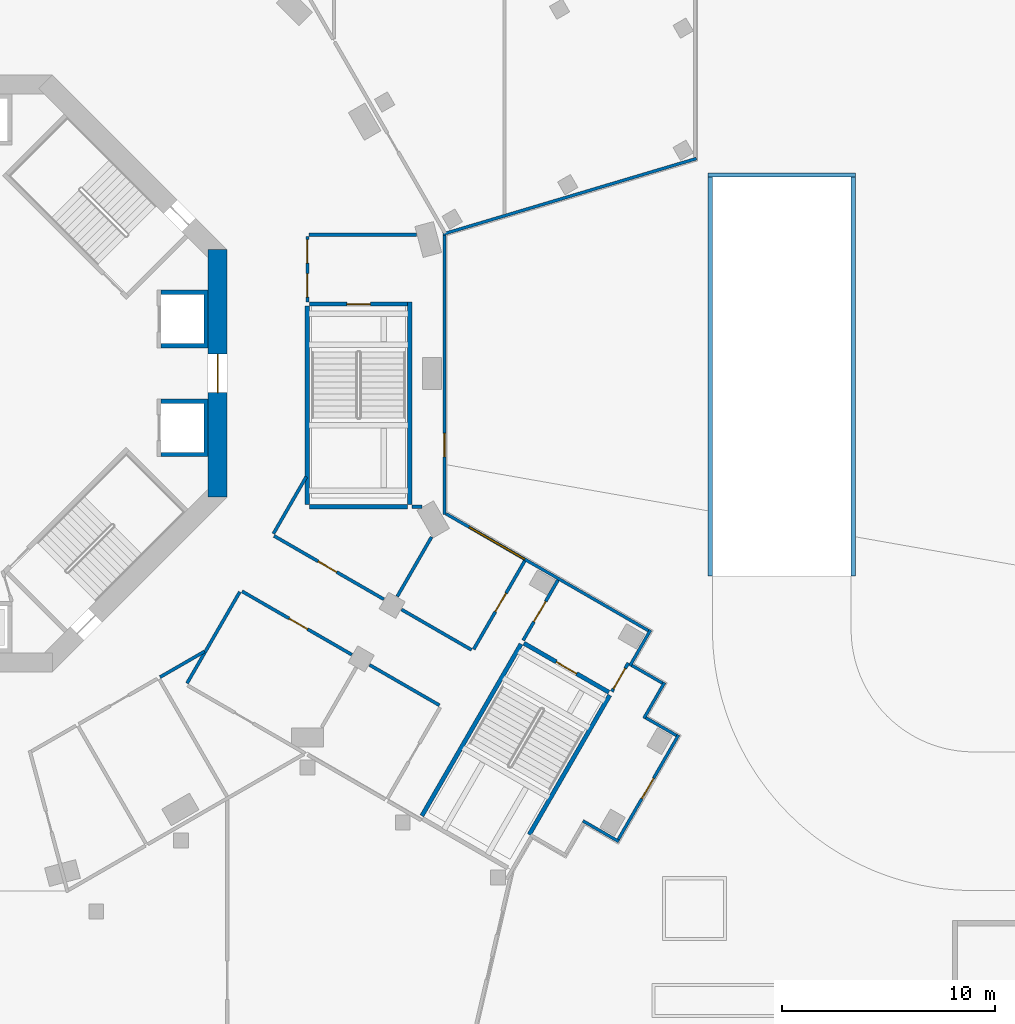
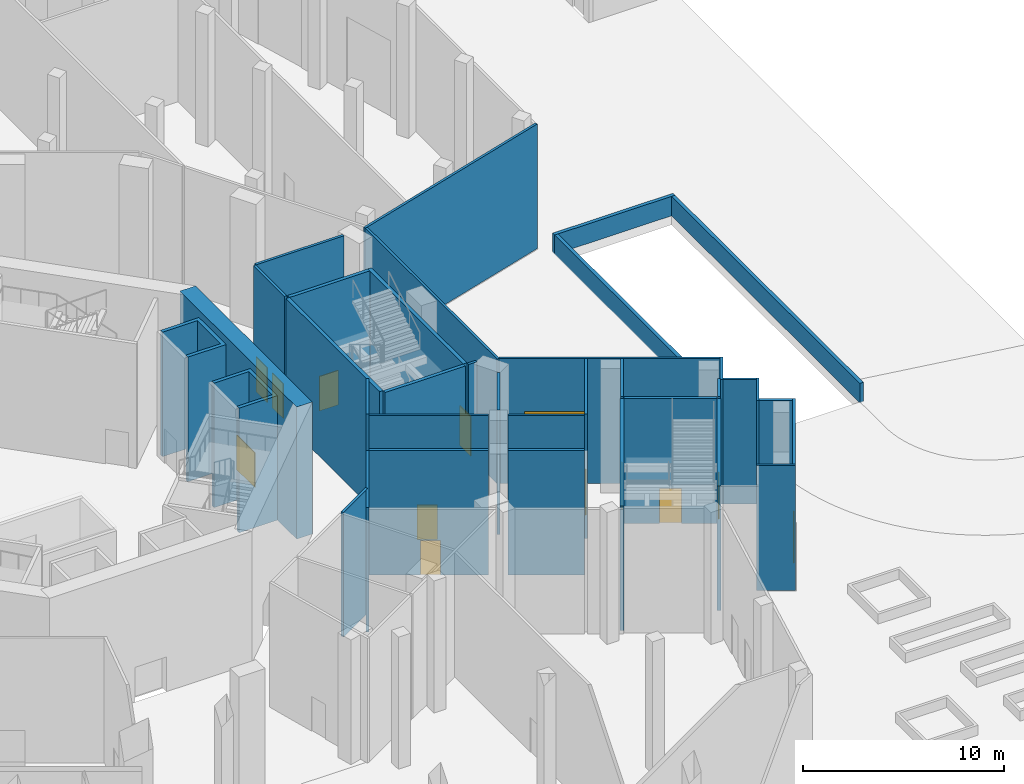
# One storey, part 9 of 30: 36 walls, 12 doors, 1 window, 13 openings.
"""IFC4 building model written with IfcOpenShell, lengths in metres."""

import ifcopenshell
import ifcopenshell.guid

model = None  # the IFC model being written
_history = None  # IfcOwnerHistory: only IFC2X3 demands one
_inside = {}  # id of a spatial element -> (the spatial element, [elements in it])
_under = {}  # id of a project, library or spatial element -> (it, [spatial elements below it])
_declared = {}  # id of a project -> (the project, [libraries it declares])
_typed = {}  # id of a type object -> (the type object, [elements of that type])
_made_of = {}  # id of a material, layer set ... -> (it, [elements and type objects made of it])


def new_model(schema):
    """Start an empty IFC model of exactly this schema.

    Asked for "IFC4X3", IfcOpenShell would pick the latest addendum, in which some entities
    have other attributes; the version numbers below select the first issue.
    IFC2X3 requires an IfcOwnerHistory on every rooted entity: one is made here for all.
    """
    global model, _history
    if schema == "IFC4X3":
        model = ifcopenshell.file(schema_version=(4, 3, 0, 0))
    else:
        model = ifcopenshell.file(schema=schema)
    _inside.clear()
    _under.clear()
    _declared.clear()
    _typed.clear()
    _made_of.clear()
    _history = None
    if model.schema == "IFC2X3":
        org = make("IfcOrganization", Name="unknown")
        user = make(
            "IfcPersonAndOrganization",
            ThePerson=make("IfcPerson", FamilyName="unknown"),
            TheOrganization=org,
        )
        app = make(
            "IfcApplication",
            ApplicationDeveloper=org,
            Version="unknown",
            ApplicationFullName="unknown",
            ApplicationIdentifier="unknown",
        )
        _history = make(
            "IfcOwnerHistory",
            OwningUser=user,
            OwningApplication=app,
            ChangeAction="ADDED",
            CreationDate=0,
        )
    return model


def make(cls, **values):
    """One entity of the class cls with the attributes given. An attribute that is None is left unset."""
    return model.create_entity(
        cls, **{name: value for name, value in values.items() if value is not None}
    )


def rooted(cls, **values):
    """An entity with a GlobalId (a new one), such as an element, a storey or a relation."""
    return make(cls, GlobalId=ifcopenshell.guid.new(), OwnerHistory=_history, **values)


def si_unit(unit_type, name, prefix=None):
    """IfcSIUnit, for example si_unit("LENGTHUNIT", "METRE", prefix="MILLI")."""
    return make("IfcSIUnit", UnitType=unit_type, Prefix=prefix, Name=name)


def assignment(units):
    """IfcUnitAssignment: the units of a project."""
    return None if units is None else make("IfcUnitAssignment", Units=units)


def point(xyz):
    """IfcCartesianPoint."""
    return None if xyz is None else make("IfcCartesianPoint", Coordinates=xyz)


def direction(xyz):
    """IfcDirection."""
    return None if xyz is None else make("IfcDirection", DirectionRatios=xyz)


def frame(location, z_axis=None, x_axis=None):
    """IfcAxis2Placement3D, a coordinate frame: its origin and axes. An axis left out is left unset."""
    return make(
        "IfcAxis2Placement3D",
        Location=point(location),
        Axis=direction(z_axis),
        RefDirection=direction(x_axis),
    )


def frame_2d(location, x_axis=None):
    """IfcAxis2Placement2D, a coordinate frame in the plane: its origin and x axis."""
    return make(
        "IfcAxis2Placement2D", Location=point(location), RefDirection=direction(x_axis)
    )


def origin():
    """The frame at (0, 0, 0) with its axes left unset."""
    return frame((0.0, 0.0, 0.0))


def place(relative_to, where):
    """IfcLocalPlacement: puts the frame where relative to a parent placement (None: the world)."""
    return make(
        "IfcLocalPlacement", PlacementRelTo=relative_to, RelativePlacement=where
    )


def context(
    kind, dimensions, precision=None, world=None, true_north=None, identifier=None
):
    """IfcGeometricRepresentationContext, for example the 3D "Model" context."""
    return make(
        "IfcGeometricRepresentationContext",
        ContextIdentifier=identifier,
        ContextType=kind,
        CoordinateSpaceDimension=dimensions,
        Precision=precision,
        WorldCoordinateSystem=world,
        TrueNorth=true_north,
    )


def subcontext(parent, identifier, kind, view, scale=None):
    """IfcGeometricRepresentationSubContext, for example "Body" below "Model"."""
    return make(
        "IfcGeometricRepresentationSubContext",
        ContextIdentifier=identifier,
        ContextType=kind,
        ParentContext=parent,
        TargetScale=scale,
        TargetView=view,
    )


def project(units=None, contexts=None):
    """IfcProject with its units and contexts."""
    return rooted(
        "IfcProject",
        Name="project",
        RepresentationContexts=contexts,
        UnitsInContext=assignment(units),
    )


def spatial(cls, under=None, at=None, **own):
    """A site, building, storey or space (cls), placed at a placement, below another one or the project."""
    s = rooted(cls, ObjectPlacement=at, **own)
    if under is not None:
        _under.setdefault(under.id(), (under, []))[1].append(s)
    return s


def polyline(points):
    """IfcPolyline through the points."""
    return make("IfcPolyline", Points=[point(p) for p in points])


def profile(cls, at=None, kind="AREA", **sizes):
    """A parametric profile (cls). Its sizes go by their IFC names, for example OverallWidth=200.0."""
    return make(cls, ProfileType=kind, Position=at, **sizes)


def rectangle(**sizes):
    """IfcRectangleProfileDef."""
    return profile("IfcRectangleProfileDef", **sizes)


def outline(outer, holes=None, kind="AREA"):
    """IfcArbitraryClosedProfileDef: a profile drawn as a closed curve; with holes, ...WithVoids."""
    if holes is None:
        return make("IfcArbitraryClosedProfileDef", ProfileType=kind, OuterCurve=outer)
    return make(
        "IfcArbitraryProfileDefWithVoids",
        ProfileType=kind,
        OuterCurve=outer,
        InnerCurves=holes,
    )


def extrude(swept, where, along, depth):
    """IfcExtrudedAreaSolid: the profile swept, set in the frame where, extruded along a direction by depth."""
    return make(
        "IfcExtrudedAreaSolid",
        SweptArea=swept,
        Position=where,
        ExtrudedDirection=direction(along),
        Depth=depth,
    )


def shape(context_of_items, identifier, shape_type, items):
    """IfcShapeRepresentation: the items that make up one representation, for example the "Body"."""
    return make(
        "IfcShapeRepresentation",
        ContextOfItems=context_of_items,
        RepresentationIdentifier=identifier,
        RepresentationType=shape_type,
        Items=items,
    )


def material(Name=None, Category=None):
    """IfcMaterial."""
    return make("IfcMaterial", Name=Name, Category=Category)


def layer(
    of_material, thickness, ventilated=None, Name=None, Category=None, Priority=None
):
    """IfcMaterialLayer: one layer of a wall or slab, of a material (None: an air gap)."""
    return make(
        "IfcMaterialLayer",
        Material=of_material,
        LayerThickness=thickness,
        IsVentilated=ventilated,
        Name=Name,
        Category=Category,
        Priority=Priority,
    )


def layer_set(layers, Name=None):
    """IfcMaterialLayerSet."""
    return make("IfcMaterialLayerSet", MaterialLayers=layers, LayerSetName=Name)


def made_of(thing, what):
    """Note that an element or type object is made of a material, layer set ...; save() writes the relation."""
    if what is not None:
        _made_of.setdefault(what.id(), (what, []))[1].append(thing)
    return thing


def type_object(cls, material=None, **own):
    """A type object (cls), such as IfcWallType, which elements share."""
    return made_of(rooted(cls, **own), material)


def element(
    cls,
    number,
    at=None,
    inside=None,
    cuts=None,
    type_object=None,
    material=None,
    context=None,
    identifier="Body",
    shape_type=None,
    held_by="IfcProductDefinitionShape",
    body=None,
    shapes=None,
    **own,
):
    """One element of the class cls, such as IfcWall. Its Tag is "e" and its number.

    at: its placement. inside: the storey or other place that contains it. cuts: it is an
    opening in that element (IfcRelVoidsElement). A single representation is given by context,
    identifier, shape_type and body (its items); several are given by shapes. held_by: the class
    of the entity that holds the representations. save() writes the other relations.
    """
    e = rooted(cls, Tag="e%d" % number, ObjectPlacement=at, **own)
    if body is not None:
        shapes = [shape(context, identifier, shape_type, body)]
    if shapes is not None:
        e.Representation = make(held_by, Representations=shapes)
    if inside is not None:
        _inside.setdefault(inside.id(), (inside, []))[1].append(e)
    if cuts is not None:
        rooted(
            "IfcRelVoidsElement", RelatingBuildingElement=cuts, RelatedOpeningElement=e
        )
    if type_object is not None:
        _typed.setdefault(type_object.id(), (type_object, []))[1].append(e)
    return made_of(e, material)


def fill(opening, filler):
    """IfcRelFillsElement: the door or window that sits in an opening."""
    return rooted(
        "IfcRelFillsElement",
        RelatingOpeningElement=opening,
        RelatedBuildingElement=filler,
    )


def aggregate(whole, parts):
    """IfcRelAggregates: a whole, such as a stair, and the parts it consists of."""
    return rooted("IfcRelAggregates", RelatingObject=whole, RelatedObjects=parts)


def save(model, path):
    """Write the relations noted so far, then the file.

    IfcRelAggregates (storeys below a building ...), IfcRelContainedInSpatialStructure (elements
    in a storey), IfcRelDefinesByType, IfcRelAssociatesMaterial and IfcRelDeclares: one each for
    every whole, place, type object, material and project.
    """
    for whole, parts in _under.values():
        aggregate(whole, parts)
    for where, things in _inside.values():
        rooted(
            "IfcRelContainedInSpatialStructure",
            RelatedElements=things,
            RelatingStructure=where,
        )
    for kind, things in _typed.values():
        rooted("IfcRelDefinesByType", RelatedObjects=things, RelatingType=kind)
    for what, things in _made_of.values():
        rooted("IfcRelAssociatesMaterial", RelatedObjects=things, RelatingMaterial=what)
    for by, libraries in _declared.values():
        rooted("IfcRelDeclares", RelatingContext=by, RelatedDefinitions=libraries)
    model.write(path)


model = new_model("IFC4")

# Units and contexts
model_context = context("Model", 3, precision=1e-05, world=origin(), true_north=direction((0.0, 1.0)))
body_context = subcontext(model_context, "Body", "Model", "MODEL_VIEW")
ifc_project = project(units=[si_unit("LENGTHUNIT", "METRE"), si_unit("AREAUNIT", "SQUARE_METRE"), si_unit("VOLUMEUNIT", "CUBIC_METRE"), si_unit("PLANEANGLEUNIT", "RADIAN"), si_unit("MASSUNIT", "GRAM", prefix="KILO")], contexts=[model_context])

# Site, building, storey
site_placement = place(None, origin())
site = spatial("IfcSite", under=ifc_project, at=site_placement, CompositionType="ELEMENT")
building_placement = place(site_placement, origin())
building = spatial("IfcBuilding", under=site, at=building_placement, Name="Verdalira Terraces Hotel", CompositionType="ELEMENT")
storey_placement = place(building_placement, origin())
storey = spatial("IfcBuildingStorey", under=building, at=storey_placement, Name="L00", CompositionType="ELEMENT", Elevation=0.0)

# Walls
ifc_material_1 = material(Name="Concrete C50", Category="concrete")
ifc_layer_1 = layer(ifc_material_1, 0.199951171875)
ifc_layer_set_1 = layer_set([ifc_layer_1], Name="Core RC wall 200 C50")
wall_type_1 = type_object("IfcWallType", Name="Core RC wall 200 C50", PredefinedType="SOLIDWALL", material=ifc_layer_set_1)
wall_1_placement = place(storey_placement, origin())
element("IfcWall", 1, at=wall_1_placement, inside=storey, type_object=wall_type_1, Name="L00 shaft wall E1", PredefinedType="SOLIDWALL", context=body_context, shape_type="SweptSolid", body=[
    extrude(outline(polyline([(13.100098, -3.899902), (10.899902, -3.899902), (10.899902, -3.699951), (12.899902, -3.699951), (12.899902, -1.399902), (10.899902, -1.399902), (10.899902, -1.199951), (13.100098, -1.199951), (13.100098, -3.899902)])), origin(), (0.0, 0.0, 1.0), 7.550049),
])
wall_2_placement = place(storey_placement, origin())
element("IfcWall", 2, at=wall_2_placement, inside=storey, type_object=wall_type_1, Name="L00 shaft wall E2", PredefinedType="SOLIDWALL", context=body_context, shape_type="SweptSolid", body=[
    extrude(outline(polyline([(13.100098, 3.899902), (13.100098, 1.199951), (10.899902, 1.199951), (10.899902, 1.399902), (12.899902, 1.399902), (12.899902, 3.699951), (10.899902, 3.699951), (10.899902, 3.899902), (13.100098, 3.899902)])), origin(), (0.0, 0.0, 1.0), 7.550049),
])

# Wall, opening, door
ifc_material_2 = material(Name="Concrete C70", Category="concrete")
ifc_layer_2 = layer(ifc_material_2, 0.89990234375)
ifc_layer_set_2 = layer_set([ifc_layer_2], Name="Core wall 900 C70")
wall_type_2 = type_object("IfcWallType", Name="Core wall 900 C70", PredefinedType="SHEAR", material=ifc_layer_set_2)
wall_3_placement = place(storey_placement, frame((13.550049, -5.799072, 0.0), z_axis=(0.0, 0.0, 1.0), x_axis=(0.0, 1.0, 0.0)))
wall_3 = element("IfcWall", 3, at=wall_3_placement, inside=storey, type_object=wall_type_2, Name="Core wall CW-L00-1", PredefinedType="SHEAR", context=body_context, shape_type="SweptSolid", body=[
    extrude(rectangle(XDim=11.598145, YDim=0.899902, at=frame_2d((5.799072, 0.0))), origin(), (0.0, 0.0, 1.0), 8.0),
])
opening_1_placement = place(wall_3_placement, frame((4.898926, 0.0, 0.0)))
opening_1 = element("IfcOpeningElement", 4, at=opening_1_placement, cuts=wall_3, Name="Opening L00-814", PredefinedType="OPENING", context=body_context, shape_type="SweptSolid", body=[
    extrude(rectangle(XDim=1.800049, YDim=2.100098, at=frame_2d((0.899902, 1.050049))), frame((0.0, 0.459961, 0.0), z_axis=(0.0, -1.0, 0.0), x_axis=(1.0, 0.0, 0.0)), (0.0, 0.0, 1.0), 0.919922),
])
ifc_material_3 = material(Name="Steel fire door", Category="steel")
door_type_1 = type_object("IfcDoorType", Name="Core entry door pair 1800 x 2100", OperationType="NOTDEFINED", PredefinedType="DOOR", material=ifc_material_3)
door_1_placement = place(opening_1_placement, origin())
door_1 = element("IfcDoor", 5, at=door_1_placement, inside=storey, type_object=door_type_1, Name="Core entry door L00 0", OperationType="DOUBLE_DOOR_SINGLE_SWING", OverallHeight=2.10009765625, OverallWidth=1.800048828125, PredefinedType="DOOR", context=body_context, shape_type="SweptSolid", body=[
    extrude(rectangle(XDim=1.800049, YDim=2.100098, at=frame_2d((0.899902, 1.050049))), frame((0.0, 0.024902, 0.0), z_axis=(0.0, -1.0, 0.0), x_axis=(1.0, 0.0, 0.0)), (0.0, 0.0, 1.0), 0.050049),
])
fill(opening_1, door_1)

# Walls
ifc_material_4 = material(Name="Gypsum board partition on steel stud", Category="steel")
ifc_layer_3 = layer(ifc_material_4, 0.14990234375)
ifc_layer_set_3 = layer_set([ifc_layer_3], Name="Fire-rated partition 150 mm")
wall_type_3 = type_object("IfcWallType", Name="Fire-rated partition 150 mm", PredefinedType="PARTITIONING", material=ifc_layer_set_3)
wall_4_placement = place(storey_placement, frame((12.935059, -13.037598, 0.0), z_axis=(0.0, 0.0, 1.0), x_axis=(-0.866064057, -0.499933044, 0.0)))
element("IfcWall", 6, at=wall_4_placement, inside=storey, type_object=wall_type_3, Name="Partition", PredefinedType="PARTITIONING", context=body_context, shape_type="SweptSolid", body=[
    extrude(rectangle(XDim=2.408447, YDim=0.149902, at=frame_2d((1.204102, 0.0))), origin(), (0.0, 0.0, 1.0), 7.550049),
])
wall_5_placement = place(storey_placement, frame((14.591797, -10.24292, 0.0), z_axis=(0.0, 0.0, 1.0), x_axis=(-0.500011342, -0.866018855, 0.0)))
element("IfcWall", 7, at=wall_5_placement, inside=storey, type_object=wall_type_3, Name="Partition", PredefinedType="PARTITIONING", context=body_context, shape_type="SweptSolid", body=[
    extrude(rectangle(XDim=4.950195, YDim=0.149902, at=frame_2d((2.475098, 0.0))), origin(), (0.0, 0.0, 1.0), 7.550049),
])

# Wall, opening, door
wall_6_placement = place(storey_placement, frame((19.842529, -13.188232, 0.0), z_axis=(0.0, 0.0, 1.0), x_axis=(-0.866028293, 0.499994996, 0.0)))
wall_6 = element("IfcWall", 8, at=wall_6_placement, inside=storey, type_object=wall_type_3, Name="Partition", PredefinedType="PARTITIONING", context=body_context, shape_type="SweptSolid", body=[
    extrude(rectangle(XDim=5.944824, YDim=0.149902, at=frame_2d((2.972412, 0.0))), origin(), (0.0, 0.0, 1.0), 7.550049),
])
opening_2_placement = place(wall_6_placement, frame((2.39502, 0.0, 0.0)))
opening_2 = element("IfcOpeningElement", 9, at=opening_2_placement, cuts=wall_6, Name="Opening L00-D25", PredefinedType="OPENING", context=body_context, shape_type="SweptSolid", body=[
    extrude(rectangle(XDim=1.0, YDim=2.100098, at=frame_2d((0.5, 1.050049))), frame((0.0, 0.084961, 0.0), z_axis=(0.0, -1.0, 0.0), x_axis=(1.0, 0.0, 0.0)), (0.0, 0.0, 1.0), 0.169922),
])
ifc_material_5 = material(Name="Steel fire door", Category="steel")
door_type_2 = type_object("IfcDoorType", Name="Fire door 1000 x 2100", OperationType="SINGLE_SWING_LEFT", PredefinedType="DOOR", material=ifc_material_5)
door_2_placement = place(opening_2_placement, origin())
door_2 = element("IfcDoor", 10, at=door_2_placement, inside=storey, type_object=door_type_2, Name="Retail store 3 door", OperationType="SINGLE_SWING_LEFT", OverallHeight=2.10009765625, OverallWidth=1.0, PredefinedType="DOOR", context=body_context, shape_type="SweptSolid", body=[
    extrude(rectangle(XDim=1.0, YDim=2.100098, at=frame_2d((0.5, 1.050049))), frame((0.0, 0.024902, 0.0), z_axis=(0.0, -1.0, 0.0), x_axis=(1.0, 0.0, 0.0)), (0.0, 0.0, 1.0), 0.050049),
])
fill(opening_2, door_2)

# Walls
wall_7_placement = place(storey_placement, frame((20.674072, -13.668213, 0.0), z_axis=(0.0, 0.0, 1.0), x_axis=(0.866024533, -0.500001508, 0.0)))
element("IfcWall", 11, at=wall_7_placement, inside=storey, type_object=wall_type_3, Name="Partition", PredefinedType="PARTITIONING", context=body_context, shape_type="SweptSolid", body=[
    extrude(rectangle(XDim=3.786621, YDim=0.149902, at=frame_2d((1.893311, 0.0))), origin(), (0.0, 0.0, 1.0), 7.550049),
])
wall_8_placement = place(storey_placement, frame((17.708252, -4.844971, 0.0), z_axis=(0.0, 0.0, 1.0), x_axis=(-0.499996601, -0.866027366, 0.0)))
element("IfcWall", 12, at=wall_8_placement, inside=storey, type_object=wall_type_3, Name="Partition", PredefinedType="PARTITIONING", context=body_context, shape_type="SweptSolid", body=[
    extrude(rectangle(XDim=3.083496, YDim=0.149902, at=frame_2d((1.541748, 0.0))), origin(), (0.0, 0.0, 1.0), 7.550049),
])

# Wall, openings, doors
wall_9_placement = place(storey_placement, frame((17.758301, 3.349854, 0.0), z_axis=(0.0, 0.0, 1.0), x_axis=(0.0, 1.0, 0.0)))
wall_9 = element("IfcWall", 13, at=wall_9_placement, inside=storey, type_object=wall_type_3, Name="Partition", PredefinedType="PARTITIONING", context=body_context, shape_type="SweptSolid", body=[
    extrude(rectangle(XDim=3.074951, YDim=0.149902, at=frame_2d((1.537598, 0.0))), origin(), (0.0, 0.0, 1.0), 7.550049),
])
opening_3_placement = place(wall_9_placement, frame((1.825195, 0.0, 0.0)))
opening_3 = element("IfcOpeningElement", 14, at=opening_3_placement, cuts=wall_9, Name="Opening L00-D26", PredefinedType="OPENING", context=body_context, shape_type="SweptSolid", body=[
    extrude(rectangle(XDim=1.100098, YDim=2.100098, at=frame_2d((0.550049, 1.050049))), frame((0.0, 0.084961, 0.0), z_axis=(0.0, -1.0, 0.0), x_axis=(1.0, 0.0, 0.0)), (0.0, 0.0, 1.0), 0.169922),
])
opening_4_placement = place(wall_9_placement, frame((0.225098, 0.0, 0.0)))
opening_4 = element("IfcOpeningElement", 15, at=opening_4_placement, cuts=wall_9, Name="Opening L00-D27", PredefinedType="OPENING", context=body_context, shape_type="SweptSolid", body=[
    extrude(rectangle(XDim=1.100098, YDim=2.100098, at=frame_2d((0.550049, 1.050049))), frame((0.0, 0.084961, 0.0), z_axis=(0.0, -1.0, 0.0), x_axis=(1.0, 0.0, 0.0)), (0.0, 0.0, 1.0), 0.169922),
])
ifc_material_6 = material(Name="Steel fire door", Category="steel")
door_type_3 = type_object("IfcDoorType", Name="Stair door 1100 x 2100", OperationType="SINGLE_SWING_LEFT", PredefinedType="DOOR", material=ifc_material_6)
door_3_placement = place(opening_3_placement, origin())
door_3 = element("IfcDoor", 16, at=door_3_placement, inside=storey, type_object=door_type_3, Name="Stair door Back-of-house corridor", OperationType="SINGLE_SWING_RIGHT", OverallHeight=2.10009765625, OverallWidth=1.10009765625, PredefinedType="DOOR", context=body_context, shape_type="SweptSolid", body=[
    extrude(rectangle(XDim=1.100098, YDim=2.100098, at=frame_2d((0.550049, 1.050049))), frame((0.0, 0.024902, 0.0), z_axis=(0.0, -1.0, 0.0), x_axis=(1.0, 0.0, 0.0)), (0.0, 0.0, 1.0), 0.050049),
])
fill(opening_3, door_3)
door_4_placement = place(opening_4_placement, origin())
door_4 = element("IfcDoor", 17, at=door_4_placement, inside=storey, type_object=door_type_3, Name="Stair door Ring corridor", OperationType="SINGLE_SWING_LEFT", OverallHeight=2.10009765625, OverallWidth=1.10009765625, PredefinedType="DOOR", context=body_context, shape_type="SweptSolid", body=[
    extrude(rectangle(XDim=1.100098, YDim=2.100098, at=frame_2d((0.550049, 1.050049))), frame((0.0, 0.024902, 0.0), z_axis=(0.0, -1.0, 0.0), x_axis=(1.0, 0.0, 0.0)), (0.0, 0.0, 1.0), 0.050049),
])
fill(opening_4, door_4)

# Walls
wall_10_placement = place(storey_placement, frame((21.973389, -10.457764, 0.0), z_axis=(0.0, 0.0, 1.0), x_axis=(0.500009422, 0.866019964, 0.0)))
element("IfcWall", 18, at=wall_10_placement, inside=storey, type_object=wall_type_3, Name="Partition", PredefinedType="PARTITIONING", context=body_context, shape_type="SweptSolid", body=[
    extrude(rectangle(XDim=3.21582, YDim=0.149902, at=frame_2d((1.60791, 0.0))), origin(), (0.0, 0.0, 1.0), 7.550049),
])
wall_11_placement = place(storey_placement, frame((22.658203, -6.25, 0.0), z_axis=(0.0, 0.0, 1.0), x_axis=(1.0, 0.0, 0.0)))
element("IfcWall", 19, at=wall_11_placement, inside=storey, type_object=wall_type_3, Name="Partition", PredefinedType="PARTITIONING", context=body_context, shape_type="SweptSolid", body=[
    extrude(rectangle(XDim=0.473145, YDim=0.149902, at=frame_2d((0.236572, 0.0))), origin(), (0.0, 0.0, 1.0), 7.550049),
])
wall_12_placement = place(storey_placement, frame((22.871826, 6.5, 0.0), z_axis=(0.0, 0.0, 1.0), x_axis=(-1.0, 0.0, 0.0)))
element("IfcWall", 20, at=wall_12_placement, inside=storey, type_object=wall_type_3, Name="Partition", PredefinedType="PARTITIONING", context=body_context, shape_type="SweptSolid", body=[
    extrude(rectangle(XDim=5.03833, YDim=0.149902, at=frame_2d((2.519043, 0.0))), origin(), (0.0, 0.0, 1.0), 7.550049),
])

# Wall, opening, door
wall_13_placement = place(storey_placement, frame((16.194092, -7.617676, 0.0), z_axis=(0.0, 0.0, 1.0), x_axis=(0.866028293, -0.499994996, 0.0)))
wall_13 = element("IfcWall", 21, at=wall_13_placement, inside=storey, type_object=wall_type_3, Name="Partition", PredefinedType="PARTITIONING", context=body_context, shape_type="SweptSolid", body=[
    extrude(rectangle(XDim=5.944824, YDim=0.149902, at=frame_2d((2.972412, 0.0))), origin(), (0.0, 0.0, 1.0), 7.550049),
])
opening_5_placement = place(wall_13_placement, frame((2.39502, 0.0, 0.0)))
opening_5 = element("IfcOpeningElement", 22, at=opening_5_placement, cuts=wall_13, Name="Opening L00-D32", PredefinedType="OPENING", context=body_context, shape_type="SweptSolid", body=[
    extrude(rectangle(XDim=1.0, YDim=2.100098, at=frame_2d((0.5, 1.050049))), frame((0.0, 0.084961, 0.0), z_axis=(0.0, -1.0, 0.0), x_axis=(1.0, 0.0, 0.0)), (0.0, 0.0, 1.0), 0.169922),
])
door_5_placement = place(opening_5_placement, origin())
door_5 = element("IfcDoor", 23, at=door_5_placement, inside=storey, type_object=door_type_2, Name="Retail store 1 door", OperationType="SINGLE_SWING_RIGHT", OverallHeight=2.10009765625, OverallWidth=1.0, PredefinedType="DOOR", context=body_context, shape_type="SweptSolid", body=[
    extrude(rectangle(XDim=1.0, YDim=2.100098, at=frame_2d((0.5, 1.050049))), frame((0.0, 0.024902, 0.0), z_axis=(0.0, -1.0, 0.0), x_axis=(1.0, 0.0, 0.0)), (0.0, 0.0, 1.0), 0.050049),
])
fill(opening_5, door_5)

# Wall
wall_14_placement = place(storey_placement, frame((25.453369, -12.963379, 0.0), z_axis=(0.0, 0.0, 1.0), x_axis=(-0.866024533, 0.500001508, 0.0)))
element("IfcWall", 24, at=wall_14_placement, inside=storey, type_object=wall_type_3, Name="Partition", PredefinedType="PARTITIONING", context=body_context, shape_type="SweptSolid", body=[
    extrude(rectangle(XDim=3.786621, YDim=0.149902, at=frame_2d((1.893311, 0.0))), origin(), (0.0, 0.0, 1.0), 7.550049),
])

# Wall, opening, door
wall_15_placement = place(storey_placement, frame((25.555908, -12.936035, 0.0), z_axis=(0.0, 0.0, 1.0), x_axis=(0.499963896, 0.866046247, 0.0)))
wall_15 = element("IfcWall", 25, at=wall_15_placement, inside=storey, type_object=wall_type_3, Name="Partition", PredefinedType="PARTITIONING", context=body_context, shape_type="SweptSolid", body=[
    extrude(rectangle(XDim=4.784912, YDim=0.149902, at=frame_2d((2.392578, 0.0))), origin(), (0.0, 0.0, 1.0), 7.550049),
])
opening_6_placement = place(wall_15_placement, frame((2.034912, 0.0, 0.0)))
opening_6 = element("IfcOpeningElement", 26, at=opening_6_placement, cuts=wall_15, Name="Opening L00-D34", PredefinedType="OPENING", context=body_context, shape_type="SweptSolid", body=[
    extrude(rectangle(XDim=1.0, YDim=2.100098, at=frame_2d((0.5, 1.050049))), frame((0.0, 0.084961, 0.0), z_axis=(0.0, -1.0, 0.0), x_axis=(1.0, 0.0, 0.0)), (0.0, 0.0, 1.0), 0.169922),
])
door_6_placement = place(opening_6_placement, origin())
door_6 = element("IfcDoor", 27, at=door_6_placement, inside=storey, type_object=door_type_2, Name="Retail store 2 door", OperationType="SINGLE_SWING_RIGHT", OverallHeight=2.10009765625, OverallWidth=1.0, PredefinedType="DOOR", context=body_context, shape_type="SweptSolid", body=[
    extrude(rectangle(XDim=1.0, YDim=2.100098, at=frame_2d((0.5, 1.050049))), frame((0.0, 0.024902, 0.0), z_axis=(0.0, -1.0, 0.0), x_axis=(1.0, 0.0, 0.0)), (0.0, 0.0, 1.0), 0.050049),
])
fill(opening_6, door_6)

wall_16_placement = place(storey_placement, frame((27.877197, -12.515381, 0.0), z_axis=(0.0, 0.0, 1.0), x_axis=(0.499973122, 0.866040921, 0.0)))
wall_16 = element("IfcWall", 28, at=wall_16_placement, inside=storey, type_object=wall_type_3, Name="Partition", PredefinedType="PARTITIONING", context=body_context, shape_type="SweptSolid", body=[
    extrude(rectangle(XDim=3.26001, YDim=0.149902, at=frame_2d((1.629883, 0.0))), origin(), (0.0, 0.0, 1.0), 7.550049),
])
opening_7_placement = place(wall_16_placement, frame((1.010254, 0.0, 0.0)))
opening_7 = element("IfcOpeningElement", 29, at=opening_7_placement, cuts=wall_16, Name="Opening L00-D35", PredefinedType="OPENING", context=body_context, shape_type="SweptSolid", body=[
    extrude(rectangle(XDim=1.100098, YDim=2.100098, at=frame_2d((0.550049, 1.050049))), frame((0.0, 0.084961, 0.0), z_axis=(0.0, -1.0, 0.0), x_axis=(1.0, 0.0, 0.0)), (0.0, 0.0, 1.0), 0.169922),
])
door_7_placement = place(opening_7_placement, origin())
door_7 = element("IfcDoor", 30, at=door_7_placement, inside=storey, type_object=door_type_3, Name="Stair door Stair approach corridor", OperationType="SINGLE_SWING_LEFT", OverallHeight=2.10009765625, OverallWidth=1.10009765625, PredefinedType="DOOR", context=body_context, shape_type="SweptSolid", body=[
    extrude(rectangle(XDim=1.100098, YDim=2.100098, at=frame_2d((0.550049, 1.050049))), frame((0.0, 0.024902, 0.0), z_axis=(0.0, -1.0, 0.0), x_axis=(1.0, 0.0, 0.0)), (0.0, 0.0, 1.0), 0.050049),
])
fill(opening_7, door_7)

wall_17_placement = place(storey_placement, frame((32.806641, -13.577148, 0.0), z_axis=(0.0, 0.0, 1.0), x_axis=(-0.499995951, -0.866027742, 0.0)))
wall_17 = element("IfcWall", 31, at=wall_17_placement, inside=storey, type_object=wall_type_3, Name="Partition", PredefinedType="PARTITIONING", context=body_context, shape_type="SweptSolid", body=[
    extrude(rectangle(XDim=1.54541, YDim=0.149902, at=frame_2d((0.772705, 0.0))), origin(), (0.0, 0.0, 1.0), 7.550049),
])
opening_8_placement = place(wall_17_placement, frame((0.29541, 0.0, 0.0)))
opening_8 = element("IfcOpeningElement", 32, at=opening_8_placement, cuts=wall_17, Name="Opening L00-D37", PredefinedType="OPENING", context=body_context, shape_type="SweptSolid", body=[
    extrude(rectangle(XDim=1.100098, YDim=2.100098, at=frame_2d((0.550049, 1.050049))), frame((0.0, 0.084961, 0.0), z_axis=(0.0, -1.0, 0.0), x_axis=(1.0, 0.0, 0.0)), (0.0, 0.0, 1.0), 0.169922),
])
door_8_placement = place(opening_8_placement, origin())
door_8 = element("IfcDoor", 33, at=door_8_placement, inside=storey, type_object=door_type_3, Name="Stair door Exit passage PS3", OperationType="SINGLE_SWING_LEFT", OverallHeight=2.10009765625, OverallWidth=1.10009765625, PredefinedType="DOOR", context=body_context, shape_type="SweptSolid", body=[
    extrude(rectangle(XDim=1.100098, YDim=2.100098, at=frame_2d((0.550049, 1.050049))), frame((0.0, 0.024902, 0.0), z_axis=(0.0, -1.0, 0.0), x_axis=(1.0, 0.0, 0.0)), (0.0, 0.0, 1.0), 0.050049),
])
fill(opening_8, door_8)

# Walls
ifc_material_7 = material(Name="Concrete C50", Category="concrete")
ifc_layer_4 = layer(ifc_material_7, 0.199951171875)
ifc_layer_set_4 = layer_set([ifc_layer_4], Name="Stair enclosure wall 200 mm")
wall_type_4 = type_object("IfcWallType", Name="Stair enclosure wall 200 mm", PredefinedType="SOLIDWALL", material=ifc_layer_set_4)
wall_18_placement = place(storey_placement, frame((17.858398, -6.25, 0.0), z_axis=(0.0, 0.0, 1.0), x_axis=(1.0, 0.0, 0.0)))
element("IfcWall", 34, at=wall_18_placement, inside=storey, type_object=wall_type_4, Name="Stair enclosure wall", PredefinedType="SOLIDWALL", context=body_context, shape_type="SweptSolid", body=[
    extrude(rectangle(XDim=4.600098, YDim=0.199951, at=frame_2d((2.300049, 0.0))), origin(), (0.0, 0.0, 1.0), 7.550049),
])
wall_19_placement = place(storey_placement, frame((17.758301, 3.150146, 0.0), z_axis=(0.0, 0.0, 1.0), x_axis=(0.0, -1.0, 0.0)))
element("IfcWall", 35, at=wall_19_placement, inside=storey, type_object=wall_type_4, Name="Stair enclosure wall", PredefinedType="SOLIDWALL", context=body_context, shape_type="SweptSolid", body=[
    extrude(rectangle(XDim=9.300049, YDim=0.199951, at=frame_2d((4.649902, 0.0))), origin(), (0.0, 0.0, 1.0), 7.550049),
])
wall_20_placement = place(storey_placement, frame((22.55835, -6.149902, 0.0), z_axis=(0.0, 0.0, 1.0), x_axis=(0.0, 1.0, 0.0)))
element("IfcWall", 36, at=wall_20_placement, inside=storey, type_object=wall_type_4, Name="Stair enclosure wall", PredefinedType="SOLIDWALL", context=body_context, shape_type="SweptSolid", body=[
    extrude(rectangle(XDim=9.5, YDim=0.199951, at=frame_2d((4.75, 0.0))), origin(), (0.0, 0.0, 1.0), 7.550049),
])

# Wall, opening, door
wall_21_placement = place(storey_placement, frame((17.858398, 3.25, 0.0), z_axis=(0.0, 0.0, 1.0), x_axis=(1.0, 0.0, 0.0)))
wall_21 = element("IfcWall", 37, at=wall_21_placement, inside=storey, type_object=wall_type_4, Name="Stair enclosure wall", PredefinedType="SOLIDWALL", context=body_context, shape_type="SweptSolid", body=[
    extrude(rectangle(XDim=4.599854, YDim=0.199951, at=frame_2d((2.299805, 0.0))), origin(), (0.0, 0.0, 1.0), 7.550049),
])
opening_9_placement = place(wall_21_placement, frame((1.75, 0.0, 0.0)))
opening_9 = element("IfcOpeningElement", 38, at=opening_9_placement, cuts=wall_21, Name="Opening L00-D30", PredefinedType="OPENING", context=body_context, shape_type="SweptSolid", body=[
    extrude(rectangle(XDim=1.100098, YDim=2.100098, at=frame_2d((0.550049, 1.050049))), frame((0.0, 0.109863, 0.0), z_axis=(0.0, -1.0, 0.0), x_axis=(1.0, 0.0, 0.0)), (0.0, 0.0, 1.0), 0.219971),
])
door_9_placement = place(opening_9_placement, origin())
door_9 = element("IfcDoor", 39, at=door_9_placement, inside=storey, type_object=door_type_3, Name="Stair door Stair lobby PS4", OperationType="SINGLE_SWING_RIGHT", OverallHeight=2.10009765625, OverallWidth=1.10009765625, PredefinedType="DOOR", context=body_context, shape_type="SweptSolid", body=[
    extrude(rectangle(XDim=1.100098, YDim=2.100098, at=frame_2d((0.550049, 1.050049))), frame((0.0, 0.024902, 0.0), z_axis=(0.0, -1.0, 0.0), x_axis=(1.0, 0.0, 0.0)), (0.0, 0.0, 1.0), 0.050049),
])
fill(opening_9, door_9)

# Walls
wall_22_placement = place(storey_placement, frame((28.161621, -21.622803, 0.0), z_axis=(0.0, 0.0, 1.0), x_axis=(0.499981072, 0.866036332, 0.0)))
element("IfcWall", 40, at=wall_22_placement, inside=storey, type_object=wall_type_4, Name="Stair enclosure wall", PredefinedType="SOLIDWALL", context=body_context, shape_type="SweptSolid", body=[
    extrude(rectangle(XDim=7.545166, YDim=0.199951, at=frame_2d((3.772461, 0.0))), origin(), (0.0, 0.0, 1.0), 7.550049),
])
wall_23_placement = place(storey_placement, frame((27.777344, -12.688477, 0.0), z_axis=(0.0, 0.0, 1.0), x_axis=(-0.500004225, -0.866022964, 0.0)))
element("IfcWall", 41, at=wall_23_placement, inside=storey, type_object=wall_type_4, Name="Stair enclosure wall", PredefinedType="SOLIDWALL", context=body_context, shape_type="SweptSolid", body=[
    extrude(rectangle(XDim=9.300293, YDim=0.199951, at=frame_2d((4.650146, 0.0))), origin(), (0.0, 0.0, 1.0), 7.550049),
])

# Wall, opening, door
wall_24_placement = place(storey_placement, frame((27.913818, -12.651855, 0.0), z_axis=(0.0, 0.0, 1.0), x_axis=(0.86601677, -0.500014953, 0.0)))
wall_24 = element("IfcWall", 42, at=wall_24_placement, inside=storey, type_object=wall_type_4, Name="Stair enclosure wall", PredefinedType="SOLIDWALL", context=body_context, shape_type="SweptSolid", body=[
    extrude(rectangle(XDim=4.599854, YDim=0.199951, at=frame_2d((2.299805, 0.0))), origin(), (0.0, 0.0, 1.0), 7.550049),
])
opening_10_placement = place(wall_24_placement, frame((1.75, 0.0, 0.0)))
opening_10 = element("IfcOpeningElement", 43, at=opening_10_placement, cuts=wall_24, Name="Opening L00-D36", PredefinedType="OPENING", context=body_context, shape_type="SweptSolid", body=[
    extrude(rectangle(XDim=1.100098, YDim=2.100098, at=frame_2d((0.550049, 1.050049))), frame((0.0, 0.109863, 0.0), z_axis=(0.0, -1.0, 0.0), x_axis=(1.0, 0.0, 0.0)), (0.0, 0.0, 1.0), 0.219971),
])
door_10_placement = place(opening_10_placement, origin())
door_10 = element("IfcDoor", 44, at=door_10_placement, inside=storey, type_object=door_type_3, Name="Stair door Stair lobby PS3", OperationType="SINGLE_SWING_RIGHT", OverallHeight=2.10009765625, OverallWidth=1.10009765625, PredefinedType="DOOR", context=body_context, shape_type="SweptSolid", body=[
    extrude(rectangle(XDim=1.100098, YDim=2.100098, at=frame_2d((0.550049, 1.050049))), frame((0.0, 0.024902, 0.0), z_axis=(0.0, -1.0, 0.0), x_axis=(1.0, 0.0, 0.0)), (0.0, 0.0, 1.0), 0.050049),
])
fill(opening_10, door_10)

# Walls
ifc_material_8 = material(Name="Concrete C40", Category="concrete")
ifc_layer_5 = layer(ifc_material_8, 0.199951171875)
ifc_layer_set_5 = layer_set([ifc_layer_5], Name="Street ramp deck guard 200 C40")
wall_type_5 = type_object("IfcWallType", Name="Street ramp deck guard 200 C40", PredefinedType="PARAPET", material=ifc_layer_set_5)
for number, where, z_axis, x_axis, name in (
    (45, (36.649902, -9.5, -0.060059), (0.0, 0.0, 1.0), (0.0, 1.0, 0.0), "Street ramp deck guard W"),
    (46, (43.350098, -9.5, -0.060059), (0.0, 0.0, 1.0), (0.0, 1.0, 0.0), "Street ramp deck guard E"),
):
    element("IfcWall", number, at=place(storey_placement, frame(where, z_axis=z_axis, x_axis=x_axis)), inside=storey, type_object=wall_type_5, Name=name, PredefinedType="PARAPET", context=body_context, shape_type="SweptSolid", body=[
        extrude(rectangle(XDim=18.699951, YDim=0.199951, at=frame_2d((9.350098, 0.0))), origin(), (0.0, 0.0, 1.0), 1.180176),
    ])
wall_25_placement = place(storey_placement, frame((36.550049, 9.300049, -0.060059), z_axis=(0.0, 0.0, 1.0), x_axis=(1.0, 0.0, 0.0)))
element("IfcWall", 47, at=wall_25_placement, inside=storey, type_object=wall_type_5, Name="Street ramp deck guard S", PredefinedType="PARAPET", context=body_context, shape_type="SweptSolid", body=[
    extrude(rectangle(XDim=6.899902, YDim=0.199951, at=frame_2d((3.449951, 0.0))), origin(), (0.0, 0.0, 1.0), 1.180176),
])
ifc_material_9 = material(Name="Terracotta cladding on steel stud backup", Category="masonry")
ifc_layer_6 = layer(ifc_material_9, 0.139892578125)
ifc_layer_set_6 = layer_set([ifc_layer_6], Name="Terracotta clad wall 140 mm")
wall_type_6 = type_object("IfcWallType", Name="Terracotta clad wall 140 mm", PredefinedType="SOLIDWALL", material=ifc_layer_set_6)
wall_26_placement = place(storey_placement, frame((30.679932, -20.980957, 0.0), z_axis=(0.0, 0.0, 1.0), x_axis=(0.866043088, -0.499969368, 0.0)))
element("IfcWall", 48, at=wall_26_placement, inside=storey, type_object=wall_type_6, Name="Podium facade wall", PredefinedType="SOLIDWALL", context=body_context, shape_type="SweptSolid", body=[
    extrude(rectangle(XDim=1.939941, YDim=0.139893, at=frame_2d((0.969971, 0.0))), origin(), (0.0, 0.0, 1.0), 7.550049),
])

# Wall, opening, door
wall_27_placement = place(storey_placement, frame((35.164307, -16.953613, 0.0), z_axis=(0.0, 0.0, 1.0), x_axis=(-0.499985074, -0.866034021, 0.0)))
wall_27 = element("IfcWall", 49, at=wall_27_placement, inside=storey, type_object=wall_type_6, Name="Podium facade wall", PredefinedType="SOLIDWALL", context=body_context, shape_type="SweptSolid", body=[
    extrude(rectangle(XDim=5.659912, YDim=0.139893, at=frame_2d((2.830078, 0.0))), origin(), (0.0, 0.0, 1.0), 7.550049),
])
opening_11_placement = place(wall_27_placement, frame((2.350098, 0.0, 0.0)))
opening_11 = element("IfcOpeningElement", 50, at=opening_11_placement, cuts=wall_27, Name="Opening L00-E07", PredefinedType="OPENING", context=body_context, shape_type="SweptSolid", body=[
    extrude(rectangle(XDim=1.100098, YDim=2.399902, at=frame_2d((0.550049, 1.199951))), frame((0.0, 0.079834, 0.0), z_axis=(0.0, -1.0, 0.0), x_axis=(1.0, 0.0, 0.0)), (0.0, 0.0, 1.0), 0.159912),
])
ifc_material_10 = material(Name="Glazed steel door", Category="steel")
door_type_4 = type_object("IfcDoorType", Name="Exit door 1100 x 2400", OperationType="SINGLE_SWING_RIGHT", PredefinedType="DOOR", material=ifc_material_10)
door_11_placement = place(opening_11_placement, origin())
door_11 = element("IfcDoor", 51, at=door_11_placement, inside=storey, type_object=door_type_4, Name="Exit door", OperationType="SINGLE_SWING_LEFT", OverallHeight=2.39990234375, OverallWidth=1.10009765625, PredefinedType="DOOR", context=body_context, shape_type="SweptSolid", body=[
    extrude(rectangle(XDim=1.100098, YDim=2.399902, at=frame_2d((0.550049, 1.199951))), frame((0.0, 0.024902, 0.0), z_axis=(0.0, -1.0, 0.0), x_axis=(1.0, 0.0, 0.0)), (0.0, 0.0, 1.0), 0.050049),
])
fill(opening_11, door_11)

# Walls
wall_28_placement = place(storey_placement, frame((35.068604, -16.979004, 0.0), z_axis=(0.0, 0.0, 1.0), x_axis=(-0.866053324, 0.499951638, 0.0)))
element("IfcWall", 52, at=wall_28_placement, inside=storey, type_object=wall_type_6, Name="Podium facade wall", PredefinedType="SOLIDWALL", context=body_context, shape_type="SweptSolid", body=[
    extrude(rectangle(XDim=1.659912, YDim=0.139893, at=frame_2d((0.830078, 0.0))), origin(), (0.0, 0.0, 1.0), 7.550049),
])
wall_29_placement = place(storey_placement, frame((33.5354, -16.174805, 0.0), z_axis=(0.0, 0.0, 1.0), x_axis=(0.500063744, 0.865988598, 0.0)))
element("IfcWall", 53, at=wall_29_placement, inside=storey, type_object=wall_type_6, Name="Podium facade wall", PredefinedType="SOLIDWALL", context=body_context, shape_type="SweptSolid", body=[
    extrude(rectangle(XDim=1.940186, YDim=0.139893, at=frame_2d((0.970215, 0.0))), origin(), (0.0, 0.0, 1.0), 7.550049),
])
wall_30_placement = place(storey_placement, frame((34.409912, -14.520264, 0.0), z_axis=(0.0, 0.0, 1.0), x_axis=(-0.865989634, 0.500061949, 0.0)))
element("IfcWall", 54, at=wall_30_placement, inside=storey, type_object=wall_type_6, Name="Podium facade wall", PredefinedType="SOLIDWALL", context=body_context, shape_type="SweptSolid", body=[
    extrude(rectangle(XDim=1.659912, YDim=0.139893, at=frame_2d((0.830078, 0.0))), origin(), (0.0, 0.0, 1.0), 7.550049),
])
wall_31_placement = place(storey_placement, frame((32.876709, -13.71582, 0.0), z_axis=(0.0, 0.0, 1.0), x_axis=(0.500023862, 0.866011627, 0.0)))
element("IfcWall", 55, at=wall_31_placement, inside=storey, type_object=wall_type_6, Name="Podium facade wall", PredefinedType="SOLIDWALL", context=body_context, shape_type="SweptSolid", body=[
    extrude(rectangle(XDim=1.939941, YDim=0.139893, at=frame_2d((0.969971, 0.0))), origin(), (0.0, 0.0, 1.0), 7.550049),
])

# Wall, opening, window
wall_32_placement = place(storey_placement, frame((33.751221, -12.061523, 0.0), z_axis=(0.0, 0.0, 1.0), x_axis=(-0.86602647, 0.499998154, 0.0)))
wall_32 = element("IfcWall", 56, at=wall_32_placement, inside=storey, type_object=wall_type_6, Name="Podium facade wall", PredefinedType="SOLIDWALL", context=body_context, shape_type="SweptSolid", body=[
    extrude(rectangle(XDim=10.961426, YDim=0.139893, at=frame_2d((5.480713, 0.0))), origin(), (0.0, 0.0, 1.0), 7.550049),
])
opening_12_placement = place(wall_32_placement, frame((6.702148, 0.0, 0.149902)))
opening_12 = element("IfcOpeningElement", 57, at=opening_12_placement, cuts=wall_32, Name="Opening WS", PredefinedType="OPENING", context=body_context, shape_type="SweptSolid", body=[
    extrude(rectangle(XDim=3.0, YDim=4.199951, at=frame_2d((1.5, 2.100098))), frame((0.0, 0.079834, 0.0), z_axis=(0.0, -1.0, 0.0), x_axis=(1.0, 0.0, 0.0)), (0.0, 0.0, 1.0), 0.159912),
])
ifc_material_11 = material(Name="Clear double glazing in aluminium frame", Category="aluminium")
window_type = type_object("IfcWindowType", Name="Storefront window 3000 x 4200", PartitioningType="SINGLE_PANEL", PredefinedType="WINDOW", material=ifc_material_11)
window_placement = place(opening_12_placement, origin())
window = element("IfcWindow", 58, at=window_placement, inside=storey, type_object=window_type, Name="Podium window", OverallHeight=4.199951171875, OverallWidth=3.0, PartitioningType="SINGLE_PANEL", PredefinedType="WINDOW", context=body_context, shape_type="SweptSolid", body=[
    extrude(rectangle(XDim=3.0, YDim=4.199951, at=frame_2d((1.5, 2.100098))), frame((0.0, 0.030029, 0.0), z_axis=(0.0, -1.0, 0.0), x_axis=(1.0, 0.0, 0.0)), (0.0, 0.0, 1.0), 0.060059),
])
fill(opening_12, window)

# Wall, opening, door
wall_33_placement = place(storey_placement, frame((24.188232, 6.479004, 0.0), z_axis=(0.0, 0.0, 1.0), x_axis=(0.0, -1.0, 0.0)))
wall_33 = element("IfcWall", 59, at=wall_33_placement, inside=storey, type_object=wall_type_6, Name="Podium facade wall", PredefinedType="SOLIDWALL", context=body_context, shape_type="SweptSolid", body=[
    extrude(rectangle(XDim=13.100098, YDim=0.139893, at=frame_2d((6.550049, 0.0))), origin(), (0.0, 0.0, 1.0), 7.550049),
])
opening_13_placement = place(wall_33_placement, frame((9.290039, 0.0, 0.0)))
opening_13 = element("IfcOpeningElement", 60, at=opening_13_placement, cuts=wall_33, Name="Opening L00-E08", PredefinedType="OPENING", context=body_context, shape_type="SweptSolid", body=[
    extrude(rectangle(XDim=1.100098, YDim=2.399902, at=frame_2d((0.550049, 1.199951))), frame((0.0, 0.079834, 0.0), z_axis=(0.0, -1.0, 0.0), x_axis=(1.0, 0.0, 0.0)), (0.0, 0.0, 1.0), 0.159912),
])
door_12_placement = place(opening_13_placement, origin())
door_12 = element("IfcDoor", 61, at=door_12_placement, inside=storey, type_object=door_type_4, Name="Exit door", OperationType="SINGLE_SWING_RIGHT", OverallHeight=2.39990234375, OverallWidth=1.10009765625, PredefinedType="DOOR", context=body_context, shape_type="SweptSolid", body=[
    extrude(rectangle(XDim=1.100098, YDim=2.399902, at=frame_2d((0.550049, 1.199951))), frame((0.0, 0.024902, 0.0), z_axis=(0.0, -1.0, 0.0), x_axis=(1.0, 0.0, 0.0)), (0.0, 0.0, 1.0), 0.050049),
])
fill(opening_13, door_12)

# Wall
wall_34_placement = place(storey_placement, frame((24.118408, 6.53125, 0.0), z_axis=(0.0, 0.0, 1.0), x_axis=(0.958329382, 0.28566553, 0.0)))
element("IfcWall", 62, at=wall_34_placement, inside=storey, type_object=wall_type_6, Name="Podium facade wall", PredefinedType="SOLIDWALL", context=body_context, shape_type="SweptSolid", body=[
    extrude(rectangle(XDim=12.398193, YDim=0.139893, at=frame_2d((6.199219, 0.0))), origin(), (0.0, 0.0, 1.0), 7.550049),
])

save(model, "model.ifc")
